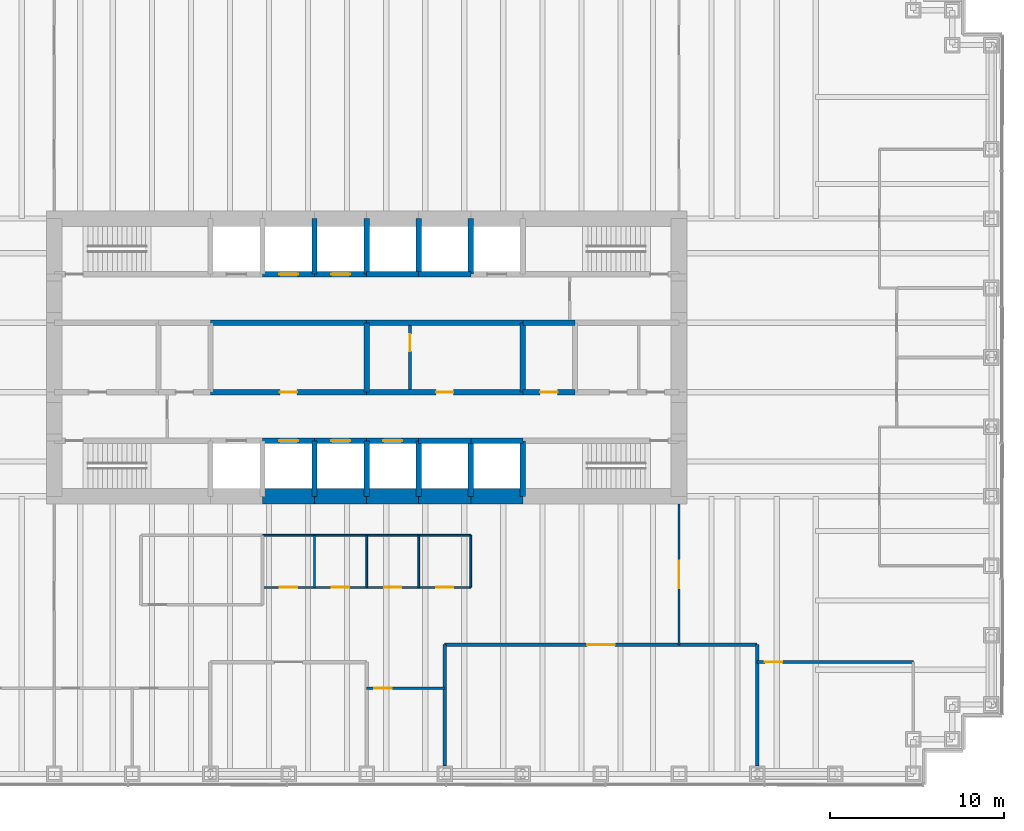
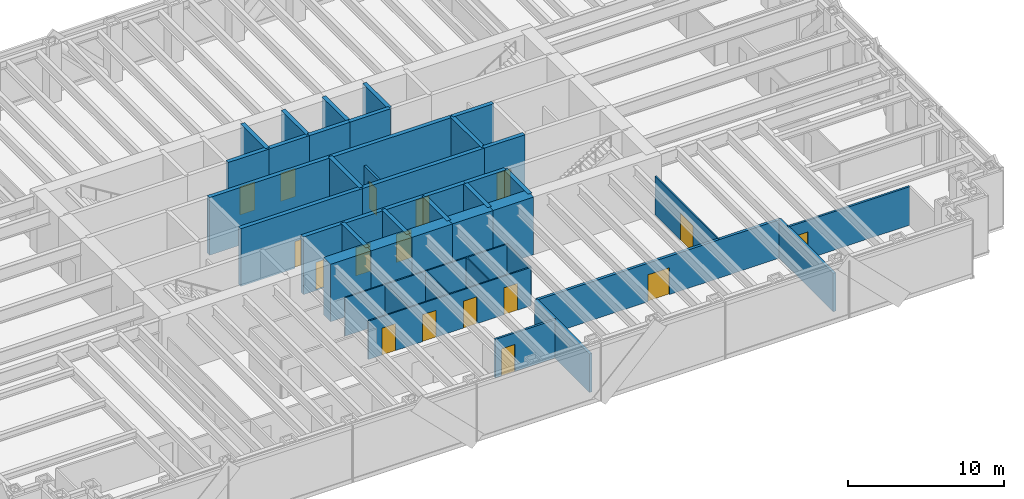
# One storey, part 10 of 13: 44 walls, 17 doors, 17 openings.
"""IFC4 building model written with IfcOpenShell, lengths in metres."""

from ifc_helpers import new_model, si_unit, direction, frame, frame_2d, origin, place, context, subcontext, project, spatial, rectangle, extrude, material, layer, layer_set, type_object, element, fill, save


model = new_model("IFC4")

# Units and contexts
model_context = context("Model", 3, precision=1e-05, world=origin(), true_north=direction((0.0, 1.0)))
body_context = subcontext(model_context, "Body", "Model", "MODEL_VIEW")
ifc_project = project(units=[si_unit("LENGTHUNIT", "METRE"), si_unit("AREAUNIT", "SQUARE_METRE"), si_unit("VOLUMEUNIT", "CUBIC_METRE"), si_unit("PLANEANGLEUNIT", "RADIAN"), si_unit("MASSUNIT", "GRAM", prefix="KILO")], contexts=[model_context])

# Site, building, storey
site_placement = place(None, origin())
site = spatial("IfcSite", under=ifc_project, at=site_placement, CompositionType="ELEMENT")
building_placement = place(site_placement, origin())
building = spatial("IfcBuilding", under=site, at=building_placement, Name="Rheinbord Bourse Tower", CompositionType="ELEMENT")
storey_placement = place(building_placement, frame((0.0, 0.0, 36.5)))
storey = spatial("IfcBuildingStorey", under=building, at=storey_placement, Name="L07", CompositionType="ELEMENT", Elevation=36.5)

# Wall, opening, door
ifc_material_1 = material(Name="Acoustic gypsum board partition", Category="gypsum board")
ifc_layer_1 = layer(ifc_material_1, 0.199951171875)
ifc_layer_set_1 = layer_set([ifc_layer_1], Name="ACOUSTIC PARTITION 200")
wall_type_1 = type_object("IfcWallType", Name="ACOUSTIC PARTITION 200", PredefinedType="PARTITIONING", material=ifc_layer_set_1)
wall_1_placement = place(storey_placement, frame((40.5, 7.449951171875, 0.0), z_axis=(0.0, 0.0, 1.0), x_axis=(1.0, 0.0, 0.0)))
wall_1 = element("IfcWall", 1, at=wall_1_placement, inside=storey, type_object=wall_type_1, Name="Partition L07-06", PredefinedType="PARTITIONING", context=body_context, shape_type="SweptSolid", body=[
    extrude(rectangle(XDim=18.0, YDim=0.199951171875, at=frame_2d((9.0, 0.0))), origin(), (0.0, 0.0, 1.0), 3.0),
])
opening_1_placement = place(wall_1_placement, frame((8.199951171875, 0.0, 0.0)))
opening_1 = element("IfcOpeningElement", 2, at=opening_1_placement, cuts=wall_1, Name="Opening 07D08", PredefinedType="OPENING", context=body_context, shape_type="SweptSolid", body=[
    extrude(rectangle(XDim=1.60009765625, YDim=2.10009765625, at=frame_2d((0.800048828125, 1.050048828125))), frame((0.0, 0.10986328125, 0.0), z_axis=(0.0, -1.0, 0.0), x_axis=(1.0, 0.0, 0.0)), (0.0, 0.0, 1.0), 0.219970703125),
])
ifc_material_2 = material(Name="Timber door", Category="wood")
door_type_1 = type_object("IfcDoorType", Name="DOUBLE ROOM DOOR 1600", OperationType="DOUBLE_DOOR_DOUBLE_SWING", PredefinedType="DOOR", material=ifc_material_2)
door_1_placement = place(opening_1_placement, origin())
door_1 = element("IfcDoor", 3, at=door_1_placement, inside=storey, type_object=door_type_1, Name="Sales trading room door L07", OperationType="SINGLE_SWING_LEFT", OverallHeight=2.10009765625, OverallWidth=1.60009765625, PredefinedType="DOOR", context=body_context, shape_type="SweptSolid", body=[
    extrude(rectangle(XDim=1.60009765625, YDim=2.10009765625, at=frame_2d((0.800048828125, 1.050048828125))), frame((0.0, 0.02490234375, 0.0), z_axis=(0.0, -1.0, 0.0), x_axis=(1.0, 0.0, 0.0)), (0.0, 0.0, 1.0), 0.050048828125),
])
fill(opening_1, door_1)

# Walls
for number, where, z_axis, x_axis, name in (
    (4, (40.5, 0.449951171875, 0.0), (0.0, 0.0, 1.0), (0.0, 1.0, 0.0), "Partition L07-34"),
    (5, (58.5, 0.449951171875, 0.0), (0.0, 0.0, 1.0), (0.0, 1.0, 0.0), "Partition L07-38"),
):
    element("IfcWall", number, at=place(storey_placement, frame(where, z_axis=z_axis, x_axis=x_axis)), inside=storey, type_object=wall_type_1, Name=name, PredefinedType="PARTITIONING", context=body_context, shape_type="SweptSolid", body=[
        extrude(rectangle(XDim=7.0, YDim=0.199951171875, at=frame_2d((3.5, 0.0))), origin(), (0.0, 0.0, 1.0), 3.0),
    ])

# Wall, opening, door
ifc_material_3 = material(Name="Concrete C50/60", Category="concrete")
ifc_layer_2 = layer(ifc_material_3, 0.300048828125)
ifc_layer_set_2 = layer_set([ifc_layer_2], Name="CORE INNER WALL 300")
wall_type_2 = type_object("IfcWallType", Name="CORE INNER WALL 300", PredefinedType="SOLIDWALL", material=ifc_layer_set_2)
wall_2_placement = place(storey_placement, frame((30.0, 19.199951171875, 0.0), z_axis=(0.0, 0.0, 1.0), x_axis=(1.0, 0.0, 0.0)))
wall_2 = element("IfcWall", 6, at=wall_2_placement, inside=storey, type_object=wall_type_2, Name="Core wall A3 L07", PredefinedType="SOLIDWALL", context=body_context, shape_type="SweptSolid", body=[
    extrude(rectangle(XDim=3.0, YDim=0.300048828125, at=frame_2d((1.5, 0.0))), origin(), (0.0, 0.0, 1.0), 4.5),
])
opening_2_placement = place(wall_2_placement, frame((0.949951171875, 0.0, 0.0)))
opening_2 = element("IfcOpeningElement", 7, at=opening_2_placement, cuts=wall_2, Name="Opening PA1", PredefinedType="OPENING", context=body_context, shape_type="SweptSolid", body=[
    extrude(rectangle(XDim=1.10009765625, YDim=2.199951171875, at=frame_2d((0.550048828125, 1.10009765625))), frame((0.0, 0.159912109375, 0.0), z_axis=(0.0, -1.0, 0.0), x_axis=(1.0, 0.0, 0.0)), (0.0, 0.0, 1.0), 0.320068359375),
])
ifc_material_4 = material(Name="Steel landing door", Category="steel")
door_type_2 = type_object("IfcDoorType", Name="LIFT LANDING DOOR 1100", OperationType="DOUBLE_DOOR_SLIDING", PredefinedType="USERDEFINED", material=ifc_material_4)
door_2_placement = place(opening_2_placement, origin())
door_2 = element("IfcDoor", 8, at=door_2_placement, inside=storey, type_object=door_type_2, Name="Lift landing door PA1 L07", ObjectType="LIFT LANDING DOOR", OperationType="DOUBLE_DOOR_SLIDING", OverallHeight=2.199951171875, OverallWidth=1.10009765625, PredefinedType="USERDEFINED", context=body_context, shape_type="SweptSolid", body=[
    extrude(rectangle(XDim=1.10009765625, YDim=2.199951171875, at=frame_2d((0.550048828125, 1.10009765625))), frame((0.0, 0.02490234375, 0.0), z_axis=(0.0, -1.0, 0.0), x_axis=(1.0, 0.0, 0.0)), (0.0, 0.0, 1.0), 0.050048828125),
])
fill(opening_2, door_2)

wall_3_placement = place(storey_placement, frame((33.0, 19.199951171875, 0.0), z_axis=(0.0, 0.0, 1.0), x_axis=(1.0, 0.0, 0.0)))
wall_3 = element("IfcWall", 9, at=wall_3_placement, inside=storey, type_object=wall_type_2, Name="Core wall A4 L07", PredefinedType="SOLIDWALL", context=body_context, shape_type="SweptSolid", body=[
    extrude(rectangle(XDim=3.0, YDim=0.300048828125, at=frame_2d((1.5, 0.0))), origin(), (0.0, 0.0, 1.0), 4.5),
])
opening_3_placement = place(wall_3_placement, frame((0.949951171875, 0.0, 0.0)))
opening_3 = element("IfcOpeningElement", 10, at=opening_3_placement, cuts=wall_3, Name="Opening PA2", PredefinedType="OPENING", context=body_context, shape_type="SweptSolid", body=[
    extrude(rectangle(XDim=1.10009765625, YDim=2.199951171875, at=frame_2d((0.550048828125, 1.10009765625))), frame((0.0, 0.159912109375, 0.0), z_axis=(0.0, -1.0, 0.0), x_axis=(1.0, 0.0, 0.0)), (0.0, 0.0, 1.0), 0.320068359375),
])
door_3_placement = place(opening_3_placement, origin())
door_3 = element("IfcDoor", 11, at=door_3_placement, inside=storey, type_object=door_type_2, Name="Lift landing door PA2 L07", ObjectType="LIFT LANDING DOOR", OperationType="DOUBLE_DOOR_SLIDING", OverallHeight=2.199951171875, OverallWidth=1.10009765625, PredefinedType="USERDEFINED", context=body_context, shape_type="SweptSolid", body=[
    extrude(rectangle(XDim=1.10009765625, YDim=2.199951171875, at=frame_2d((0.550048828125, 1.10009765625))), frame((0.0, 0.02490234375, 0.0), z_axis=(0.0, -1.0, 0.0), x_axis=(1.0, 0.0, 0.0)), (0.0, 0.0, 1.0), 0.050048828125),
])
fill(opening_3, door_3)

wall_4_placement = place(storey_placement, frame((36.0, 19.199951171875, 0.0), z_axis=(0.0, 0.0, 1.0), x_axis=(1.0, 0.0, 0.0)))
wall_4 = element("IfcWall", 12, at=wall_4_placement, inside=storey, type_object=wall_type_2, Name="Core wall A5 L07", PredefinedType="SOLIDWALL", context=body_context, shape_type="SweptSolid", body=[
    extrude(rectangle(XDim=3.0, YDim=0.300048828125, at=frame_2d((1.5, 0.0))), origin(), (0.0, 0.0, 1.0), 4.5),
])
opening_4_placement = place(wall_4_placement, frame((0.949951171875, 0.0, 0.0)))
opening_4 = element("IfcOpeningElement", 13, at=opening_4_placement, cuts=wall_4, Name="Opening PA3", PredefinedType="OPENING", context=body_context, shape_type="SweptSolid", body=[
    extrude(rectangle(XDim=1.10009765625, YDim=2.199951171875, at=frame_2d((0.550048828125, 1.10009765625))), frame((0.0, 0.159912109375, 0.0), z_axis=(0.0, -1.0, 0.0), x_axis=(1.0, 0.0, 0.0)), (0.0, 0.0, 1.0), 0.320068359375),
])
door_4_placement = place(opening_4_placement, origin())
door_4 = element("IfcDoor", 14, at=door_4_placement, inside=storey, type_object=door_type_2, Name="Lift landing door PA3 L07", ObjectType="LIFT LANDING DOOR", OperationType="DOUBLE_DOOR_SLIDING", OverallHeight=2.199951171875, OverallWidth=1.10009765625, PredefinedType="USERDEFINED", context=body_context, shape_type="SweptSolid", body=[
    extrude(rectangle(XDim=1.10009765625, YDim=2.199951171875, at=frame_2d((0.550048828125, 1.10009765625))), frame((0.0, 0.02490234375, 0.0), z_axis=(0.0, -1.0, 0.0), x_axis=(1.0, 0.0, 0.0)), (0.0, 0.0, 1.0), 0.050048828125),
])
fill(opening_4, door_4)

# Walls
for number, where, z_axis, x_axis, name in (
    (15, (39.0, 19.199951171875, 0.0), (0.0, 0.0, 1.0), (1.0, 0.0, 0.0), "Core wall A6 L07"),
    (16, (42.0, 19.199951171875, 0.0), (0.0, 0.0, 1.0), (1.0, 0.0, 0.0), "Core wall A7 L07"),
):
    element("IfcWall", number, at=place(storey_placement, frame(where, z_axis=z_axis, x_axis=x_axis)), inside=storey, type_object=wall_type_2, Name=name, PredefinedType="SOLIDWALL", context=body_context, shape_type="SweptSolid", body=[
        extrude(rectangle(XDim=3.0, YDim=0.300048828125, at=frame_2d((1.5, 0.0))), origin(), (0.0, 0.0, 1.0), 4.5),
    ])

# Wall, opening, door
wall_5_placement = place(storey_placement, frame((30.0, 28.800048828125, 0.0), z_axis=(0.0, 0.0, 1.0), x_axis=(1.0, 0.0, 0.0)))
wall_5 = element("IfcWall", 17, at=wall_5_placement, inside=storey, type_object=wall_type_2, Name="Core wall B3 L07", PredefinedType="SOLIDWALL", context=body_context, shape_type="SweptSolid", body=[
    extrude(rectangle(XDim=3.0, YDim=0.300048828125, at=frame_2d((1.5, 0.0))), origin(), (0.0, 0.0, 1.0), 4.5),
])
opening_5_placement = place(wall_5_placement, frame((0.949951171875, 0.0, 0.0)))
opening_5 = element("IfcOpeningElement", 18, at=opening_5_placement, cuts=wall_5, Name="Opening PA4", PredefinedType="OPENING", context=body_context, shape_type="SweptSolid", body=[
    extrude(rectangle(XDim=1.10009765625, YDim=2.199951171875, at=frame_2d((0.550048828125, 1.10009765625))), frame((0.0, 0.159912109375, 0.0), z_axis=(0.0, -1.0, 0.0), x_axis=(1.0, 0.0, 0.0)), (0.0, 0.0, 1.0), 0.320068359375),
])
door_5_placement = place(opening_5_placement, origin())
door_5 = element("IfcDoor", 19, at=door_5_placement, inside=storey, type_object=door_type_2, Name="Lift landing door PA4 L07", ObjectType="LIFT LANDING DOOR", OperationType="DOUBLE_DOOR_SLIDING", OverallHeight=2.199951171875, OverallWidth=1.10009765625, PredefinedType="USERDEFINED", context=body_context, shape_type="SweptSolid", body=[
    extrude(rectangle(XDim=1.10009765625, YDim=2.199951171875, at=frame_2d((0.550048828125, 1.10009765625))), frame((0.0, 0.02490234375, 0.0), z_axis=(0.0, -1.0, 0.0), x_axis=(1.0, 0.0, 0.0)), (0.0, 0.0, 1.0), 0.050048828125),
])
fill(opening_5, door_5)

wall_6_placement = place(storey_placement, frame((33.0, 28.800048828125, 0.0), z_axis=(0.0, 0.0, 1.0), x_axis=(1.0, 0.0, 0.0)))
wall_6 = element("IfcWall", 20, at=wall_6_placement, inside=storey, type_object=wall_type_2, Name="Core wall B4 L07", PredefinedType="SOLIDWALL", context=body_context, shape_type="SweptSolid", body=[
    extrude(rectangle(XDim=3.0, YDim=0.300048828125, at=frame_2d((1.5, 0.0))), origin(), (0.0, 0.0, 1.0), 4.5),
])
opening_6_placement = place(wall_6_placement, frame((0.949951171875, 0.0, 0.0)))
opening_6 = element("IfcOpeningElement", 21, at=opening_6_placement, cuts=wall_6, Name="Opening PA5", PredefinedType="OPENING", context=body_context, shape_type="SweptSolid", body=[
    extrude(rectangle(XDim=1.10009765625, YDim=2.199951171875, at=frame_2d((0.550048828125, 1.10009765625))), frame((0.0, 0.159912109375, 0.0), z_axis=(0.0, -1.0, 0.0), x_axis=(1.0, 0.0, 0.0)), (0.0, 0.0, 1.0), 0.320068359375),
])
door_6_placement = place(opening_6_placement, origin())
door_6 = element("IfcDoor", 22, at=door_6_placement, inside=storey, type_object=door_type_2, Name="Lift landing door PA5 L07", ObjectType="LIFT LANDING DOOR", OperationType="DOUBLE_DOOR_SLIDING", OverallHeight=2.199951171875, OverallWidth=1.10009765625, PredefinedType="USERDEFINED", context=body_context, shape_type="SweptSolid", body=[
    extrude(rectangle(XDim=1.10009765625, YDim=2.199951171875, at=frame_2d((0.550048828125, 1.10009765625))), frame((0.0, 0.02490234375, 0.0), z_axis=(0.0, -1.0, 0.0), x_axis=(1.0, 0.0, 0.0)), (0.0, 0.0, 1.0), 0.050048828125),
])
fill(opening_6, door_6)

# Walls
for number, where, z_axis, x_axis, name in (
    (23, (36.0, 28.800048828125, 0.0), (0.0, 0.0, 1.0), (1.0, 0.0, 0.0), "Core wall B5 L07"),
    (24, (39.0, 28.800048828125, 0.0), (0.0, 0.0, 1.0), (1.0, 0.0, 0.0), "Core wall B6 L07"),
):
    element("IfcWall", number, at=place(storey_placement, frame(where, z_axis=z_axis, x_axis=x_axis)), inside=storey, type_object=wall_type_2, Name=name, PredefinedType="SOLIDWALL", context=body_context, shape_type="SweptSolid", body=[
        extrude(rectangle(XDim=3.0, YDim=0.300048828125, at=frame_2d((1.5, 0.0))), origin(), (0.0, 0.0, 1.0), 4.5),
    ])

# Wall, opening, door
wall_7_placement = place(storey_placement, frame((27.0, 22.0, 0.0), z_axis=(0.0, 0.0, 1.0), x_axis=(1.0, 0.0, 0.0)))
wall_7 = element("IfcWall", 25, at=wall_7_placement, inside=storey, type_object=wall_type_2, Name="Core wall C3 L07", PredefinedType="SOLIDWALL", context=body_context, shape_type="SweptSolid", body=[
    extrude(rectangle(XDim=9.0, YDim=0.300048828125, at=frame_2d((4.5, 0.0))), origin(), (0.0, 0.0, 1.0), 4.5),
])
opening_7_placement = place(wall_7_placement, frame((4.0, 0.0, 0.0)))
opening_7 = element("IfcOpeningElement", 26, at=opening_7_placement, cuts=wall_7, Name="Opening 07R3", PredefinedType="OPENING", context=body_context, shape_type="SweptSolid", body=[
    extrude(rectangle(XDim=1.0, YDim=2.10009765625, at=frame_2d((0.5, 1.050048828125))), frame((0.0, 0.159912109375, 0.0), z_axis=(0.0, -1.0, 0.0), x_axis=(1.0, 0.0, 0.0)), (0.0, 0.0, 1.0), 0.320068359375),
])
ifc_material_5 = material(Name="Steel door", Category="steel")
door_type_3 = type_object("IfcDoorType", Name="DOOR 1000 EI30", OperationType="SINGLE_SWING_LEFT", PredefinedType="DOOR", material=ifc_material_5)
door_7_placement = place(opening_7_placement, origin())
door_7 = element("IfcDoor", 27, at=door_7_placement, inside=storey, type_object=door_type_3, Name="Riser door L07", OperationType="SINGLE_SWING_LEFT", OverallHeight=2.10009765625, OverallWidth=1.0, PredefinedType="DOOR", context=body_context, shape_type="SweptSolid", body=[
    extrude(rectangle(XDim=1.0, YDim=2.10009765625, at=frame_2d((0.5, 1.050048828125))), frame((0.0, 0.02490234375, 0.0), z_axis=(0.0, -1.0, 0.0), x_axis=(1.0, 0.0, 0.0)), (0.0, 0.0, 1.0), 0.050048828125),
])
fill(opening_7, door_7)

wall_8_placement = place(storey_placement, frame((36.0, 22.0, 0.0), z_axis=(0.0, 0.0, 1.0), x_axis=(1.0, 0.0, 0.0)))
wall_8 = element("IfcWall", 28, at=wall_8_placement, inside=storey, type_object=wall_type_2, Name="Core wall C4 L07", PredefinedType="SOLIDWALL", context=body_context, shape_type="SweptSolid", body=[
    extrude(rectangle(XDim=9.0, YDim=0.300048828125, at=frame_2d((4.5, 0.0))), origin(), (0.0, 0.0, 1.0), 4.5),
])
opening_8_placement = place(wall_8_placement, frame((4.0, 0.0, 0.0)))
opening_8 = element("IfcOpeningElement", 29, at=opening_8_placement, cuts=wall_8, Name="Opening 07R4", PredefinedType="OPENING", context=body_context, shape_type="SweptSolid", body=[
    extrude(rectangle(XDim=1.0, YDim=2.10009765625, at=frame_2d((0.5, 1.050048828125))), frame((0.0, 0.159912109375, 0.0), z_axis=(0.0, -1.0, 0.0), x_axis=(1.0, 0.0, 0.0)), (0.0, 0.0, 1.0), 0.320068359375),
])
door_8_placement = place(opening_8_placement, origin())
door_8 = element("IfcDoor", 30, at=door_8_placement, inside=storey, type_object=door_type_3, Name="Store door L07", OperationType="SINGLE_SWING_LEFT", OverallHeight=2.10009765625, OverallWidth=1.0, PredefinedType="DOOR", context=body_context, shape_type="SweptSolid", body=[
    extrude(rectangle(XDim=1.0, YDim=2.10009765625, at=frame_2d((0.5, 1.050048828125))), frame((0.0, 0.02490234375, 0.0), z_axis=(0.0, -1.0, 0.0), x_axis=(1.0, 0.0, 0.0)), (0.0, 0.0, 1.0), 0.050048828125),
])
fill(opening_8, door_8)

wall_9_placement = place(storey_placement, frame((45.0, 22.0, 0.0), z_axis=(0.0, 0.0, 1.0), x_axis=(1.0, 0.0, 0.0)))
wall_9 = element("IfcWall", 31, at=wall_9_placement, inside=storey, type_object=wall_type_2, Name="Core wall C5 L07", PredefinedType="SOLIDWALL", context=body_context, shape_type="SweptSolid", body=[
    extrude(rectangle(XDim=3.0, YDim=0.300048828125, at=frame_2d((1.5, 0.0))), origin(), (0.0, 0.0, 1.0), 4.5),
])
opening_9_placement = place(wall_9_placement, frame((1.0, 0.0, 0.0)))
opening_9 = element("IfcOpeningElement", 32, at=opening_9_placement, cuts=wall_9, Name="Opening 07R5", PredefinedType="OPENING", context=body_context, shape_type="SweptSolid", body=[
    extrude(rectangle(XDim=1.0, YDim=2.10009765625, at=frame_2d((0.5, 1.050048828125))), frame((0.0, 0.159912109375, 0.0), z_axis=(0.0, -1.0, 0.0), x_axis=(1.0, 0.0, 0.0)), (0.0, 0.0, 1.0), 0.320068359375),
])
ifc_material_6 = material(Name="Timber door", Category="wood")
door_type_4 = type_object("IfcDoorType", Name="DOOR 1000 WC", OperationType="SINGLE_SWING_LEFT", PredefinedType="DOOR", material=ifc_material_6)
door_9_placement = place(opening_9_placement, origin())
door_9 = element("IfcDoor", 33, at=door_9_placement, inside=storey, type_object=door_type_4, Name="Accessible WC door L07", OperationType="SINGLE_SWING_LEFT", OverallHeight=2.10009765625, OverallWidth=1.0, PredefinedType="DOOR", context=body_context, shape_type="SweptSolid", body=[
    extrude(rectangle(XDim=1.0, YDim=2.10009765625, at=frame_2d((0.5, 1.050048828125))), frame((0.0, 0.02490234375, 0.0), z_axis=(0.0, -1.0, 0.0), x_axis=(1.0, 0.0, 0.0)), (0.0, 0.0, 1.0), 0.050048828125),
])
fill(opening_9, door_9)

# Walls
for number, where, z_axis, x_axis, name in (
    (34, (27.0, 26.0, 0.0), (0.0, 0.0, 1.0), (1.0, 0.0, 0.0), "Core wall D3 L07"),
    (35, (36.0, 26.0, 0.0), (0.0, 0.0, 1.0), (1.0, 0.0, 0.0), "Core wall D4 L07"),
):
    element("IfcWall", number, at=place(storey_placement, frame(where, z_axis=z_axis, x_axis=x_axis)), inside=storey, type_object=wall_type_2, Name=name, PredefinedType="SOLIDWALL", context=body_context, shape_type="SweptSolid", body=[
        extrude(rectangle(XDim=9.0, YDim=0.300048828125, at=frame_2d((4.5, 0.0))), origin(), (0.0, 0.0, 1.0), 4.5),
    ])
wall_10_placement = place(storey_placement, frame((45.0, 26.0, 0.0), z_axis=(0.0, 0.0, 1.0), x_axis=(1.0, 0.0, 0.0)))
element("IfcWall", 36, at=wall_10_placement, inside=storey, type_object=wall_type_2, Name="Core wall D5 L07", PredefinedType="SOLIDWALL", context=body_context, shape_type="SweptSolid", body=[
    extrude(rectangle(XDim=3.0, YDim=0.300048828125, at=frame_2d((1.5, 0.0))), origin(), (0.0, 0.0, 1.0), 4.5),
])
for number, where, z_axis, x_axis, name in (
    (37, (33.0, 16.0, 0.0), (0.0, 0.0, 1.0), (0.0, 1.0, 0.0), "Core wall SX33 L07"),
    (38, (33.0, 28.800048828125, 0.0), (0.0, 0.0, 1.0), (0.0, 1.0, 0.0), "Core wall NX33 L07"),
    (39, (36.0, 16.0, 0.0), (0.0, 0.0, 1.0), (0.0, 1.0, 0.0), "Core wall SX36 L07"),
    (40, (36.0, 28.800048828125, 0.0), (0.0, 0.0, 1.0), (0.0, 1.0, 0.0), "Core wall NX36 L07"),
    (41, (39.0, 16.0, 0.0), (0.0, 0.0, 1.0), (0.0, 1.0, 0.0), "Core wall SX39 L07"),
    (42, (39.0, 28.800048828125, 0.0), (0.0, 0.0, 1.0), (0.0, 1.0, 0.0), "Core wall NX39 L07"),
    (43, (42.0, 16.0, 0.0), (0.0, 0.0, 1.0), (0.0, 1.0, 0.0), "Core wall SX42 L07"),
    (44, (42.0, 28.800048828125, 0.0), (0.0, 0.0, 1.0), (0.0, 1.0, 0.0), "Core wall NX42 L07"),
    (45, (45.0, 16.0, 0.0), (0.0, 0.0, 1.0), (0.0, 1.0, 0.0), "Core wall SX45 L07"),
):
    element("IfcWall", number, at=place(storey_placement, frame(where, z_axis=z_axis, x_axis=x_axis)), inside=storey, type_object=wall_type_2, Name=name, PredefinedType="SOLIDWALL", context=body_context, shape_type="SweptSolid", body=[
        extrude(rectangle(XDim=3.199951171875, YDim=0.300048828125, at=frame_2d((1.60009765625, 0.0))), origin(), (0.0, 0.0, 1.0), 4.5),
    ])
for number, where, z_axis, x_axis, name in (
    (46, (36.0, 22.0, 0.0), (0.0, 0.0, 1.0), (0.0, 1.0, 0.0), "Core wall MX36 L07"),
    (47, (45.0, 22.0, 0.0), (0.0, 0.0, 1.0), (0.0, 1.0, 0.0), "Core wall MX45 L07"),
):
    element("IfcWall", number, at=place(storey_placement, frame(where, z_axis=z_axis, x_axis=x_axis)), inside=storey, type_object=wall_type_2, Name=name, PredefinedType="SOLIDWALL", context=body_context, shape_type="SweptSolid", body=[
        extrude(rectangle(XDim=4.0, YDim=0.300048828125, at=frame_2d((2.0, 0.0))), origin(), (0.0, 0.0, 1.0), 4.5),
    ])

# Wall, opening, door
ifc_material_7 = material(Name="Gypsum board fire partition", Category="gypsum board")
ifc_layer_3 = layer(ifc_material_7, 0.14990234375)
ifc_layer_set_3 = layer_set([ifc_layer_3], Name="CORE PARTITION 150 EI30")
wall_type_3 = type_object("IfcWallType", Name="CORE PARTITION 150 EI30", PredefinedType="PARTITIONING", material=ifc_layer_set_3)
wall_11_placement = place(storey_placement, frame((38.5, 22.14990234375, 0.0), z_axis=(0.0, 0.0, 1.0), x_axis=(0.0, 1.0, 0.0)))
wall_11 = element("IfcWall", 48, at=wall_11_placement, inside=storey, type_object=wall_type_3, Name="Core partition L07-1", PredefinedType="PARTITIONING", context=body_context, shape_type="SweptSolid", body=[
    extrude(rectangle(XDim=3.7001953125, YDim=0.14990234375, at=frame_2d((1.85009765625, 0.0))), origin(), (0.0, 0.0, 1.0), 3.0),
])
opening_10_placement = place(wall_11_placement, frame((2.199951171875, 0.0, 0.0)))
opening_10 = element("IfcOpeningElement", 49, at=opening_10_placement, cuts=wall_11, Name="Opening 07R7", PredefinedType="OPENING", context=body_context, shape_type="SweptSolid", body=[
    extrude(rectangle(XDim=1.0, YDim=2.10009765625, at=frame_2d((0.5, 1.050048828125))), frame((0.0, 0.0849609375, 0.0), z_axis=(0.0, -1.0, 0.0), x_axis=(1.0, 0.0, 0.0)), (0.0, 0.0, 1.0), 0.169921875),
])
door_10_placement = place(opening_10_placement, origin())
door_10 = element("IfcDoor", 50, at=door_10_placement, inside=storey, type_object=door_type_3, Name="Furniture store door L07", OperationType="SINGLE_SWING_RIGHT", OverallHeight=2.10009765625, OverallWidth=1.0, PredefinedType="DOOR", context=body_context, shape_type="SweptSolid", body=[
    extrude(rectangle(XDim=1.0, YDim=2.10009765625, at=frame_2d((0.5, 1.050048828125))), frame((0.0, 0.02490234375, 0.0), z_axis=(0.0, -1.0, 0.0), x_axis=(1.0, 0.0, 0.0)), (0.0, 0.0, 1.0), 0.050048828125),
])
fill(opening_10, door_10)

# Walls
ifc_material_8 = material(Name="Concrete C50/60", Category="concrete")
ifc_layer_4 = layer(ifc_material_8, 0.89990234375)
ifc_layer_set_4 = layer_set([ifc_layer_4], Name="CORE WALL 900")
wall_type_4 = type_object("IfcWallType", Name="CORE WALL 900", PredefinedType="SHEAR", material=ifc_layer_set_4)
for number, where, z_axis, x_axis, name in (
    (51, (30.0, 16.0, 0.0), (0.0, 0.0, 1.0), (1.0, 0.0, 0.0), "Core wall S3 L07"),
    (52, (33.0, 16.0, 0.0), (0.0, 0.0, 1.0), (1.0, 0.0, 0.0), "Core wall S4 L07"),
    (53, (36.0, 16.0, 0.0), (0.0, 0.0, 1.0), (1.0, 0.0, 0.0), "Core wall S5 L07"),
    (54, (39.0, 16.0, 0.0), (0.0, 0.0, 1.0), (1.0, 0.0, 0.0), "Core wall S6 L07"),
    (55, (42.0, 16.0, 0.0), (0.0, 0.0, 1.0), (1.0, 0.0, 0.0), "Core wall S7 L07"),
):
    element("IfcWall", number, at=place(storey_placement, frame(where, z_axis=z_axis, x_axis=x_axis)), inside=storey, type_object=wall_type_4, Name=name, PredefinedType="SHEAR", context=body_context, shape_type="SweptSolid", body=[
        extrude(rectangle(XDim=3.0, YDim=0.89990234375, at=frame_2d((1.5, 0.0))), origin(), (0.0, 0.0, 1.0), 4.5),
    ])

# Wall, openings, doors
ifc_material_9 = material(Name="Toughened laminated glass partition", Category="glass")
ifc_layer_5 = layer(ifc_material_9, 0.10009765625)
ifc_layer_set_5 = layer_set([ifc_layer_5], Name="GLAZED PARTITION 100")
wall_type_5 = type_object("IfcWallType", Name="GLAZED PARTITION 100", PredefinedType="PARTITIONING", material=ifc_layer_set_5)
wall_12_placement = place(storey_placement, frame((30.0, 10.75, 0.0), z_axis=(0.0, 0.0, 1.0), x_axis=(1.0, 0.0, 0.0)))
wall_12 = element("IfcWall", 56, at=wall_12_placement, inside=storey, type_object=wall_type_5, Name="Partition L07-08", PredefinedType="PARTITIONING", context=body_context, shape_type="SweptSolid", body=[
    extrude(rectangle(XDim=12.0, YDim=0.10009765625, at=frame_2d((6.0, 0.0))), origin(), (0.0, 0.0, 1.0), 3.0),
])
opening_11_placement = place(wall_12_placement, frame((1.0, 0.0, 0.0)))
opening_11 = element("IfcOpeningElement", 57, at=opening_11_placement, cuts=wall_12, Name="Opening 07D10", PredefinedType="OPENING", context=body_context, shape_type="SweptSolid", body=[
    extrude(rectangle(XDim=1.0, YDim=2.10009765625, at=frame_2d((0.5, 1.050048828125))), frame((0.0, 0.06005859375, 0.0), z_axis=(0.0, -1.0, 0.0), x_axis=(1.0, 0.0, 0.0)), (0.0, 0.0, 1.0), 0.1201171875),
])
opening_12_placement = place(wall_12_placement, frame((4.0, 0.0, 0.0)))
opening_12 = element("IfcOpeningElement", 58, at=opening_12_placement, cuts=wall_12, Name="Opening 07D11", PredefinedType="OPENING", context=body_context, shape_type="SweptSolid", body=[
    extrude(rectangle(XDim=1.0, YDim=2.10009765625, at=frame_2d((0.5, 1.050048828125))), frame((0.0, 0.06005859375, 0.0), z_axis=(0.0, -1.0, 0.0), x_axis=(1.0, 0.0, 0.0)), (0.0, 0.0, 1.0), 0.1201171875),
])
opening_13_placement = place(wall_12_placement, frame((7.0, 0.0, 0.0)))
opening_13 = element("IfcOpeningElement", 59, at=opening_13_placement, cuts=wall_12, Name="Opening 07D12", PredefinedType="OPENING", context=body_context, shape_type="SweptSolid", body=[
    extrude(rectangle(XDim=1.0, YDim=2.10009765625, at=frame_2d((0.5, 1.050048828125))), frame((0.0, 0.06005859375, 0.0), z_axis=(0.0, -1.0, 0.0), x_axis=(1.0, 0.0, 0.0)), (0.0, 0.0, 1.0), 0.1201171875),
])
opening_14_placement = place(wall_12_placement, frame((10.0, 0.0, 0.0)))
opening_14 = element("IfcOpeningElement", 60, at=opening_14_placement, cuts=wall_12, Name="Opening 07D13", PredefinedType="OPENING", context=body_context, shape_type="SweptSolid", body=[
    extrude(rectangle(XDim=1.0, YDim=2.10009765625, at=frame_2d((0.5, 1.050048828125))), frame((0.0, 0.06005859375, 0.0), z_axis=(0.0, -1.0, 0.0), x_axis=(1.0, 0.0, 0.0)), (0.0, 0.0, 1.0), 0.1201171875),
])
ifc_material_10 = material(Name="Timber door", Category="wood")
door_type_5 = type_object("IfcDoorType", Name="ROOM DOOR 1000", OperationType="SINGLE_SWING_LEFT", PredefinedType="DOOR", material=ifc_material_10)
door_11_placement = place(opening_11_placement, origin())
door_11 = element("IfcDoor", 61, at=door_11_placement, inside=storey, type_object=door_type_5, Name="Quiet room door L07", OperationType="SINGLE_SWING_LEFT", OverallHeight=2.10009765625, OverallWidth=1.0, PredefinedType="DOOR", context=body_context, shape_type="SweptSolid", body=[
    extrude(rectangle(XDim=1.0, YDim=2.10009765625, at=frame_2d((0.5, 1.050048828125))), frame((0.0, 0.02490234375, 0.0), z_axis=(0.0, -1.0, 0.0), x_axis=(1.0, 0.0, 0.0)), (0.0, 0.0, 1.0), 0.050048828125),
])
fill(opening_11, door_11)
door_12_placement = place(opening_12_placement, origin())
door_12 = element("IfcDoor", 62, at=door_12_placement, inside=storey, type_object=door_type_5, Name="Quiet room door L07", OperationType="SINGLE_SWING_LEFT", OverallHeight=2.10009765625, OverallWidth=1.0, PredefinedType="DOOR", context=body_context, shape_type="SweptSolid", body=[
    extrude(rectangle(XDim=1.0, YDim=2.10009765625, at=frame_2d((0.5, 1.050048828125))), frame((0.0, 0.02490234375, 0.0), z_axis=(0.0, -1.0, 0.0), x_axis=(1.0, 0.0, 0.0)), (0.0, 0.0, 1.0), 0.050048828125),
])
fill(opening_12, door_12)
door_13_placement = place(opening_13_placement, origin())
door_13 = element("IfcDoor", 63, at=door_13_placement, inside=storey, type_object=door_type_5, Name="Quiet room door L07", OperationType="SINGLE_SWING_RIGHT", OverallHeight=2.10009765625, OverallWidth=1.0, PredefinedType="DOOR", context=body_context, shape_type="SweptSolid", body=[
    extrude(rectangle(XDim=1.0, YDim=2.10009765625, at=frame_2d((0.5, 1.050048828125))), frame((0.0, 0.02490234375, 0.0), z_axis=(0.0, -1.0, 0.0), x_axis=(1.0, 0.0, 0.0)), (0.0, 0.0, 1.0), 0.050048828125),
])
fill(opening_13, door_13)
door_14_placement = place(opening_14_placement, origin())
door_14 = element("IfcDoor", 64, at=door_14_placement, inside=storey, type_object=door_type_5, Name="Quiet room door L07", OperationType="SINGLE_SWING_RIGHT", OverallHeight=2.10009765625, OverallWidth=1.0, PredefinedType="DOOR", context=body_context, shape_type="SweptSolid", body=[
    extrude(rectangle(XDim=1.0, YDim=2.10009765625, at=frame_2d((0.5, 1.050048828125))), frame((0.0, 0.02490234375, 0.0), z_axis=(0.0, -1.0, 0.0), x_axis=(1.0, 0.0, 0.0)), (0.0, 0.0, 1.0), 0.050048828125),
])
fill(opening_14, door_14)

# Walls
wall_13_placement = place(storey_placement, frame((30.0, 13.75, 0.0), z_axis=(0.0, 0.0, 1.0), x_axis=(1.0, 0.0, 0.0)))
element("IfcWall", 65, at=wall_13_placement, inside=storey, type_object=wall_type_5, Name="Partition L07-11", PredefinedType="PARTITIONING", context=body_context, shape_type="SweptSolid", body=[
    extrude(rectangle(XDim=12.0, YDim=0.10009765625, at=frame_2d((6.0, 0.0))), origin(), (0.0, 0.0, 1.0), 3.0),
])
for number, where, z_axis, x_axis, name in (
    (66, (33.0, 10.75, 0.0), (0.0, 0.0, 1.0), (0.0, 1.0, 0.0), "Partition L07-30"),
    (67, (36.0, 10.75, 0.0), (0.0, 0.0, 1.0), (0.0, 1.0, 0.0), "Partition L07-32"),
    (68, (39.0, 10.75, 0.0), (0.0, 0.0, 1.0), (0.0, 1.0, 0.0), "Partition L07-33"),
    (69, (42.0, 10.75, 0.0), (0.0, 0.0, 1.0), (0.0, 1.0, 0.0), "Partition L07-35"),
):
    element("IfcWall", number, at=place(storey_placement, frame(where, z_axis=z_axis, x_axis=x_axis)), inside=storey, type_object=wall_type_5, Name=name, PredefinedType="PARTITIONING", context=body_context, shape_type="SweptSolid", body=[
        extrude(rectangle(XDim=3.0, YDim=0.10009765625, at=frame_2d((1.5, 0.0))), origin(), (0.0, 0.0, 1.0), 3.0),
    ])

# Wall, opening, door
wall_14_placement = place(storey_placement, frame((54.0, 7.449951171875, 0.0), z_axis=(0.0, 0.0, 1.0), x_axis=(0.0, 1.0, 0.0)))
wall_14 = element("IfcWall", 70, at=wall_14_placement, inside=storey, type_object=wall_type_5, Name="Partition L07-36", PredefinedType="PARTITIONING", context=body_context, shape_type="SweptSolid", body=[
    extrude(rectangle(XDim=8.10009765625, YDim=0.10009765625, at=frame_2d((4.050048828125, 0.0))), origin(), (0.0, 0.0, 1.0), 3.0),
])
opening_15_placement = place(wall_14_placement, frame((3.25, 0.0, 0.0)))
opening_15 = element("IfcOpeningElement", 71, at=opening_15_placement, cuts=wall_14, Name="Opening 07D23", PredefinedType="OPENING", context=body_context, shape_type="SweptSolid", body=[
    extrude(rectangle(XDim=1.60009765625, YDim=2.10009765625, at=frame_2d((0.800048828125, 1.050048828125))), frame((0.0, 0.06005859375, 0.0), z_axis=(0.0, -1.0, 0.0), x_axis=(1.0, 0.0, 0.0)), (0.0, 0.0, 1.0), 0.1201171875),
])
door_15_placement = place(opening_15_placement, origin())
door_15 = element("IfcDoor", 72, at=door_15_placement, inside=storey, type_object=door_type_1, Name="Open area door L07", OperationType="SINGLE_SWING_LEFT", OverallHeight=2.10009765625, OverallWidth=1.60009765625, PredefinedType="DOOR", context=body_context, shape_type="SweptSolid", body=[
    extrude(rectangle(XDim=1.60009765625, YDim=2.10009765625, at=frame_2d((0.800048828125, 1.050048828125))), frame((0.0, 0.02490234375, 0.0), z_axis=(0.0, -1.0, 0.0), x_axis=(1.0, 0.0, 0.0)), (0.0, 0.0, 1.0), 0.050048828125),
])
fill(opening_15, door_15)

ifc_material_11 = material(Name="Gypsum board partition", Category="gypsum board")
ifc_layer_6 = layer(ifc_material_11, 0.14990234375)
ifc_layer_set_6 = layer_set([ifc_layer_6], Name="PARTITION 150")
wall_type_6 = type_object("IfcWallType", Name="PARTITION 150", PredefinedType="PARTITIONING", material=ifc_layer_set_6)
wall_15_placement = place(storey_placement, frame((36.0, 4.949951171875, 0.0), z_axis=(0.0, 0.0, 1.0), x_axis=(1.0, 0.0, 0.0)))
wall_15 = element("IfcWall", 73, at=wall_15_placement, inside=storey, type_object=wall_type_6, Name="Partition L07-02", PredefinedType="PARTITIONING", context=body_context, shape_type="SweptSolid", body=[
    extrude(rectangle(XDim=4.5, YDim=0.14990234375, at=frame_2d((2.25, 0.0))), origin(), (0.0, 0.0, 1.0), 3.0),
])
opening_16_placement = place(wall_15_placement, frame((0.449951171875, 0.0, 0.0)))
opening_16 = element("IfcOpeningElement", 74, at=opening_16_placement, cuts=wall_15, Name="Opening 07D04", PredefinedType="OPENING", context=body_context, shape_type="SweptSolid", body=[
    extrude(rectangle(XDim=1.0, YDim=2.10009765625, at=frame_2d((0.5, 1.050048828125))), frame((0.0, 0.0849609375, 0.0), z_axis=(0.0, -1.0, 0.0), x_axis=(1.0, 0.0, 0.0)), (0.0, 0.0, 1.0), 0.169921875),
])
door_16_placement = place(opening_16_placement, origin())
door_16 = element("IfcDoor", 75, at=door_16_placement, inside=storey, type_object=door_type_5, Name="Compliance office door L07", OperationType="SINGLE_SWING_LEFT", OverallHeight=2.10009765625, OverallWidth=1.0, PredefinedType="DOOR", context=body_context, shape_type="SweptSolid", body=[
    extrude(rectangle(XDim=1.0, YDim=2.10009765625, at=frame_2d((0.5, 1.050048828125))), frame((0.0, 0.02490234375, 0.0), z_axis=(0.0, -1.0, 0.0), x_axis=(1.0, 0.0, 0.0)), (0.0, 0.0, 1.0), 0.050048828125),
])
fill(opening_16, door_16)

wall_16_placement = place(storey_placement, frame((58.5, 6.449951171875, 0.0), z_axis=(0.0, 0.0, 1.0), x_axis=(1.0, 0.0, 0.0)))
wall_16 = element("IfcWall", 76, at=wall_16_placement, inside=storey, type_object=wall_type_6, Name="Partition L07-05", PredefinedType="PARTITIONING", context=body_context, shape_type="SweptSolid", body=[
    extrude(rectangle(XDim=9.0, YDim=0.14990234375, at=frame_2d((4.5, 0.0))), origin(), (0.0, 0.0, 1.0), 3.0),
])
opening_17_placement = place(wall_16_placement, frame((0.449951171875, 0.0, 0.0)))
opening_17 = element("IfcOpeningElement", 77, at=opening_17_placement, cuts=wall_16, Name="Opening 07D07", PredefinedType="OPENING", context=body_context, shape_type="SweptSolid", body=[
    extrude(rectangle(XDim=1.0, YDim=2.10009765625, at=frame_2d((0.5, 1.050048828125))), frame((0.0, 0.0849609375, 0.0), z_axis=(0.0, -1.0, 0.0), x_axis=(1.0, 0.0, 0.0)), (0.0, 0.0, 1.0), 0.169921875),
])
door_17_placement = place(opening_17_placement, origin())
door_17 = element("IfcDoor", 78, at=door_17_placement, inside=storey, type_object=door_type_5, Name="Head of sales office door L07", OperationType="SINGLE_SWING_LEFT", OverallHeight=2.10009765625, OverallWidth=1.0, PredefinedType="DOOR", context=body_context, shape_type="SweptSolid", body=[
    extrude(rectangle(XDim=1.0, YDim=2.10009765625, at=frame_2d((0.5, 1.050048828125))), frame((0.0, 0.02490234375, 0.0), z_axis=(0.0, -1.0, 0.0), x_axis=(1.0, 0.0, 0.0)), (0.0, 0.0, 1.0), 0.050048828125),
])
fill(opening_17, door_17)

save(model, "model.ifc")
